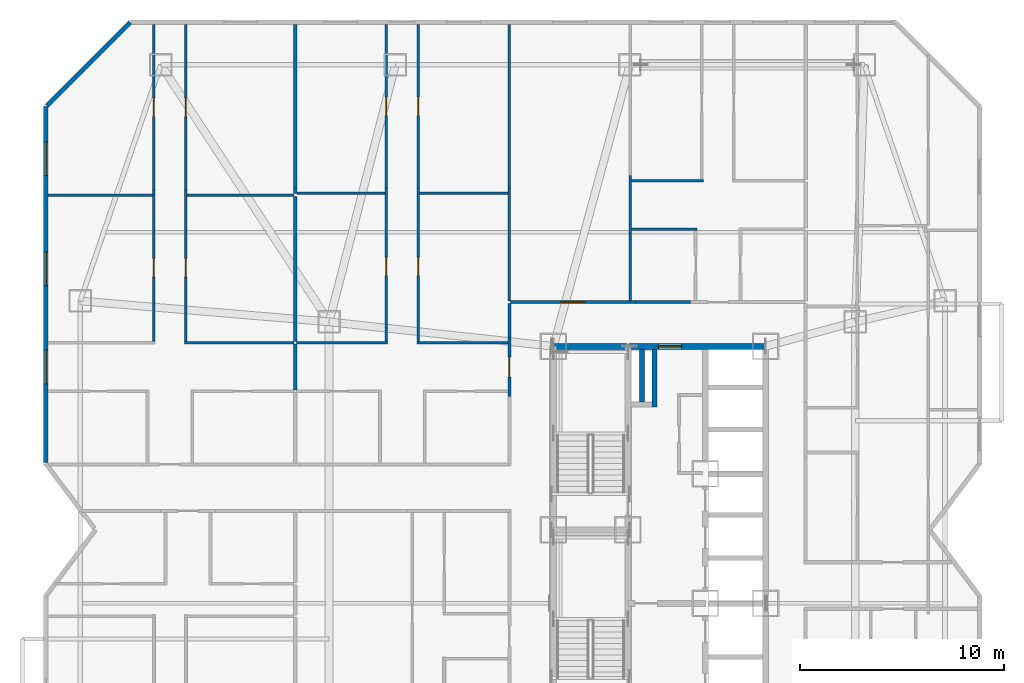
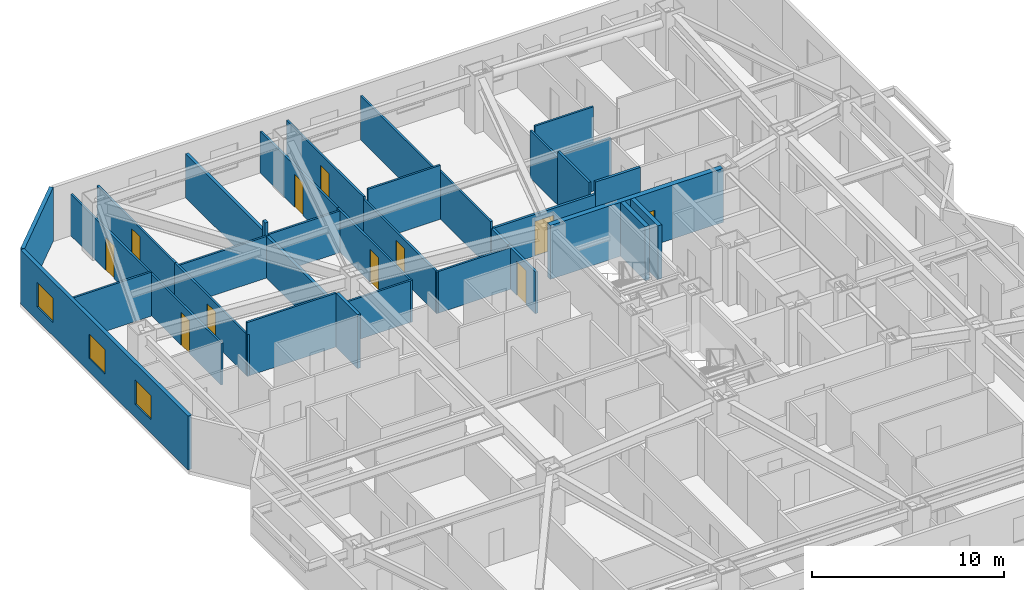
# One storey, part 10 of 13: 34 walls, 11 doors, 3 windows, 14 openings.
"""IFC4 building model written with IfcOpenShell, lengths in metres."""

from ifc_helpers import new_model, si_unit, direction, frame, frame_2d, origin, place, context, subcontext, project, spatial, rectangle, extrude, material, layer, layer_set, type_object, element, fill, save


model = new_model("IFC4")

# Units and contexts
model_context = context("Model", 3, precision=1e-05, world=origin(), true_north=direction((0.0, 1.0)))
body_context = subcontext(model_context, "Body", "Model", "MODEL_VIEW")
ifc_project = project(units=[si_unit("LENGTHUNIT", "METRE"), si_unit("AREAUNIT", "SQUARE_METRE"), si_unit("VOLUMEUNIT", "CUBIC_METRE"), si_unit("PLANEANGLEUNIT", "RADIAN"), si_unit("MASSUNIT", "GRAM", prefix="KILO")], contexts=[model_context])

# Site, building, storey
site_placement = place(None, origin())
site = spatial("IfcSite", under=ifc_project, at=site_placement, CompositionType="ELEMENT")
building_placement = place(site_placement, origin())
building = spatial("IfcBuilding", under=site, at=building_placement, Name="Khamvora Tower", CompositionType="ELEMENT")
storey_placement = place(building_placement, frame((0.0, 0.0, 62.5)))
storey = spatial("IfcBuildingStorey", under=building, at=storey_placement, Name="L15", CompositionType="ELEMENT", Elevation=62.5)

# Wall, opening, door
ifc_material_1 = material(Name="Concrete C50/60", Category="concrete")
ifc_layer_1 = layer(ifc_material_1, 0.300048828125)
ifc_layer_set_1 = layer_set([ifc_layer_1], Name="Concrete C50/60")
wall_type_1 = type_object("IfcWallType", Name="WAL-CORE-300", PredefinedType="SHEAR", material=ifc_layer_set_1)
wall_1_placement = place(storey_placement, frame((29.0, 37.0, 0.0), z_axis=(0.0, 0.0, 1.0), x_axis=(1.0, 0.0, 0.0)))
wall_1 = element("IfcWall", 1, at=wall_1_placement, inside=storey, type_object=wall_type_1, Name="L15 central core north wall", PredefinedType="SHEAR", context=body_context, shape_type="SweptSolid", body=[
    extrude(rectangle(XDim=10.39990234375, YDim=0.300048828125, at=frame_2d((5.199951171875, 0.0))), origin(), (0.0, 0.0, 1.0), 3.429931640625),
])
opening_1_placement = place(wall_1_placement, frame((5.139892578125, 0.0, 0.0)))
opening_1 = element("IfcOpeningElement", 2, at=opening_1_placement, cuts=wall_1, Name="Opening D-SC1", PredefinedType="OPENING", context=body_context, shape_type="SweptSolid", body=[
    extrude(rectangle(XDim=1.14990234375, YDim=2.199951171875, at=frame_2d((0.574951171875, 1.10009765625))), frame((0.0, 0.159912109375, 0.0), z_axis=(0.0, -1.0, 0.0), x_axis=(1.0, 0.0, 0.0)), (0.0, 0.0, 1.0), 0.320068359375),
])
ifc_material_2 = material(Name="Powder-Coated Steel and Hardwood Leaf", Category="steel")
door_type_1 = type_object("IfcDoorType", Name="DOR-SCHL-1150", OperationType="NOTDEFINED", PredefinedType="DOOR", material=ifc_material_2)
door_1_placement = place(opening_1_placement, origin())
door_1 = element("IfcDoor", 3, at=door_1_placement, inside=storey, type_object=door_type_1, Name="L15 north core lobby to corridor fire door", OperationType="SINGLE_SWING_RIGHT", OverallHeight=2.199951171875, OverallWidth=1.14990234375, PredefinedType="DOOR", context=body_context, shape_type="SweptSolid", body=[
    extrude(rectangle(XDim=1.14990234375, YDim=2.199951171875, at=frame_2d((0.574951171875, 1.10009765625))), frame((0.0, 0.02490234375, 0.0), z_axis=(0.0, -1.0, 0.0), x_axis=(1.0, 0.0, 0.0)), (0.0, 0.0, 1.0), 0.050048828125),
])
fill(opening_1, door_1)

ifc_material_3 = material(Name="Fire-Rated Drywall and Steel Stud", Category="steel")
ifc_layer_2 = layer(ifc_material_3, 0.14990234375)
ifc_layer_set_2 = layer_set([ifc_layer_2], Name="Fire-Rated Drywall and Steel Stud")
wall_type_2 = type_object("IfcWallType", Name="WAL-CORR-150", PredefinedType="STANDARD", material=ifc_layer_set_2)
wall_2_placement = place(storey_placement, frame((26.89990234375, 39.1650390625, 0.0), z_axis=(0.0, 0.0, 1.0), x_axis=(1.0, 0.0, 0.0)))
wall_2 = element("IfcWall", 4, at=wall_2_placement, inside=storey, type_object=wall_type_2, Name="L15 interior partition wall 004", PredefinedType="STANDARD", context=body_context, shape_type="SweptSolid", body=[
    extrude(rectangle(XDim=6.114013671875, YDim=0.14990234375, at=frame_2d((3.05712890625, 0.0))), origin(), (0.0, 0.0, 1.0), 2.64697265625),
])
opening_2_placement = place(wall_2_placement, frame((2.4609375, 0.0, 0.0)))
opening_2 = element("IfcOpeningElement", 5, at=opening_2_placement, cuts=wall_2, Name="Opening D-SC1", PredefinedType="OPENING", context=body_context, shape_type="SweptSolid", body=[
    extrude(rectangle(XDim=1.14990234375, YDim=2.199951171875, at=frame_2d((0.574951171875, 1.10009765625))), frame((0.0, 0.0849609375, 0.0), z_axis=(0.0, -1.0, 0.0), x_axis=(1.0, 0.0, 0.0)), (0.0, 0.0, 1.0), 0.169921875),
])
door_2_placement = place(opening_2_placement, origin())
door_2 = element("IfcDoor", 6, at=door_2_placement, inside=storey, type_object=door_type_1, Name="L15 interior door COR-FSTD", OperationType="SINGLE_SWING_RIGHT", OverallHeight=2.199951171875, OverallWidth=1.14990234375, PredefinedType="DOOR", context=body_context, shape_type="SweptSolid", body=[
    extrude(rectangle(XDim=1.14990234375, YDim=2.199951171875, at=frame_2d((0.574951171875, 1.10009765625))), frame((0.0, 0.02490234375, 0.0), z_axis=(0.0, -1.0, 0.0), x_axis=(1.0, 0.0, 0.0)), (0.0, 0.0, 1.0), 0.050048828125),
])
fill(opening_2, door_2)

wall_3_placement = place(storey_placement, frame((26.8349609375, 34.5458984375, 0.0), z_axis=(0.0, 0.0, 1.0), x_axis=(0.0, 1.0, 0.0)))
wall_3 = element("IfcWall", 7, at=wall_3_placement, inside=storey, type_object=wall_type_2, Name="L15 interior partition wall 019", PredefinedType="STANDARD", context=body_context, shape_type="SweptSolid", body=[
    extrude(rectangle(XDim=2.878173828125, YDim=0.14990234375, at=frame_2d((1.43896484375, 0.0))), origin(), (0.0, 0.0, 1.0), 2.64697265625),
])
opening_3_placement = place(wall_3_placement, frame((0.93896484375, 0.0, 0.0)))
opening_3 = element("IfcOpeningElement", 8, at=opening_3_placement, cuts=wall_3, Name="Opening D-U1", PredefinedType="OPENING", context=body_context, shape_type="SweptSolid", body=[
    extrude(rectangle(XDim=1.0, YDim=2.14990234375, at=frame_2d((0.5, 1.074951171875))), frame((0.0, 0.0849609375, 0.0), z_axis=(0.0, -1.0, 0.0), x_axis=(1.0, 0.0, 0.0)), (0.0, 0.0, 1.0), 0.169921875),
])
door_type_2 = type_object("IfcDoorType", Name="DOR-UNIT-1000", OperationType="NOTDEFINED", PredefinedType="DOOR", material=ifc_material_2)
door_3_placement = place(opening_3_placement, origin())
door_3 = element("IfcDoor", 9, at=door_3_placement, inside=storey, type_object=door_type_2, Name="L15 interior door COR-15WB2H", OperationType="SINGLE_SWING_RIGHT", OverallHeight=2.14990234375, OverallWidth=1.0, PredefinedType="DOOR", context=body_context, shape_type="SweptSolid", body=[
    extrude(rectangle(XDim=1.0, YDim=2.14990234375, at=frame_2d((0.5, 1.074951171875))), frame((0.0, 0.02490234375, 0.0), z_axis=(0.0, -1.0, 0.0), x_axis=(1.0, 0.0, 0.0)), (0.0, 0.0, 1.0), 0.050048828125),
])
fill(opening_3, door_3)

# Walls
wall_4_placement = place(storey_placement, frame((26.8349609375, 37.424072265625, 0.0), z_axis=(0.0, 0.0, 1.0), x_axis=(0.0, 1.0, 0.0)))
element("IfcWall", 10, at=wall_4_placement, inside=storey, type_object=wall_type_2, Name="L15 interior partition wall 023", PredefinedType="STANDARD", context=body_context, shape_type="SweptSolid", body=[
    extrude(rectangle(XDim=1.676025390625, YDim=0.14990234375, at=frame_2d((0.837890625, 0.0))), origin(), (0.0, 0.0, 1.0), 2.64697265625),
])
wall_5_placement = place(storey_placement, frame((33.013916015625, 39.1650390625, 0.0), z_axis=(0.0, 0.0, 1.0), x_axis=(1.0, 0.0, 0.0)))
element("IfcWall", 11, at=wall_5_placement, inside=storey, type_object=wall_type_2, Name="L15 interior partition wall 028", PredefinedType="STANDARD", context=body_context, shape_type="SweptSolid", body=[
    extrude(rectangle(XDim=2.7021484375, YDim=0.14990234375, at=frame_2d((1.35107421875, 0.0))), origin(), (0.0, 0.0, 1.0), 3.429931640625),
])
ifc_material_4 = material(Name="Acoustic Double-Stud Fire Wall", Category="gypsum")
ifc_layer_3 = layer(ifc_material_4, 0.179931640625)
ifc_layer_set_3 = layer_set([ifc_layer_3], Name="Acoustic Double-Stud Fire Wall")
wall_type_3 = type_object("IfcWallType", Name="WAL-CORR-180", PredefinedType="STANDARD", material=ifc_layer_set_3)
wall_6_placement = place(storey_placement, frame((16.345947265625, 37.110107421875, 0.0), z_axis=(0.0, 0.0, 1.0), x_axis=(0.0, -1.0, 0.0)))
element("IfcWall", 12, at=wall_6_placement, inside=storey, type_object=wall_type_3, Name="L15 interior partition wall 090", PredefinedType="STANDARD", context=body_context, shape_type="SweptSolid", body=[
    extrude(rectangle(XDim=2.25, YDim=0.179931640625, at=frame_2d((1.125, 0.0))), origin(), (0.0, 0.0, 1.0), 3.429931640625),
])
wall_7_placement = place(storey_placement, frame((16.345947265625, 44.35302734375, 0.0), z_axis=(0.0, 0.0, 1.0), x_axis=(0.0, -1.0, 0.0)))
element("IfcWall", 13, at=wall_7_placement, inside=storey, type_object=wall_type_3, Name="L15 interior partition wall 094", PredefinedType="STANDARD", context=body_context, shape_type="SweptSolid", body=[
    extrude(rectangle(XDim=7.113037109375, YDim=0.179931640625, at=frame_2d((3.556640625, 0.0))), origin(), (0.0, 0.0, 1.0), 2.64697265625),
])
wall_8_placement = place(storey_placement, frame((16.345947265625, 44.759033203125, 0.0), z_axis=(0.0, 0.0, 1.0), x_axis=(0.0, -1.0, 0.0)))
element("IfcWall", 14, at=wall_8_placement, inside=storey, type_object=wall_type_3, Name="L15 interior partition wall 095", PredefinedType="STANDARD", context=body_context, shape_type="SweptSolid", body=[
    extrude(rectangle(XDim=0.276123046875, YDim=0.179931640625, at=frame_2d((0.13818359375, 0.0))), origin(), (0.0, 0.0, 1.0), 3.429931640625),
])
wall_9_placement = place(storey_placement, frame((16.345947265625, 52.7880859375, 0.0), z_axis=(0.0, 0.0, 1.0), x_axis=(0.0, -1.0, 0.0)))
element("IfcWall", 15, at=wall_9_placement, inside=storey, type_object=wall_type_3, Name="L15 interior partition wall 096", PredefinedType="STANDARD", context=body_context, shape_type="SweptSolid", body=[
    extrude(rectangle(XDim=8.029052734375, YDim=0.179931640625, at=frame_2d((4.0146484375, 0.0))), origin(), (0.0, 0.0, 1.0), 2.802978515625),
])

# Wall, openings, windows
ifc_material_5 = material(Name="Precast concrete C40/50", Category="concrete")
ifc_layer_4 = layer(ifc_material_5, 0.219970703125)
ifc_layer_set_4 = layer_set([ifc_layer_4], Name="Precast concrete C40/50")
wall_type_4 = type_object("IfcWallType", Name="WAL-EXT-220", PredefinedType="STANDARD", material=ifc_layer_set_4)
wall_10_placement = place(storey_placement, frame((4.110107421875, 31.294921875, 0.0), z_axis=(0.0, 0.0, 1.0), x_axis=(0.0, 1.0, 0.0)))
wall_10 = element("IfcWall", 16, at=wall_10_placement, inside=storey, type_object=wall_type_4, Name="L15 exterior facade wall 05.1", PredefinedType="STANDARD", context=body_context, shape_type="SweptSolid", body=[
    extrude(rectangle(XDim=17.458984375, YDim=0.219970703125, at=frame_2d((8.7294921875, 0.0))), origin(), (0.0, 0.0, 1.0), 3.429931640625),
])
opening_4_placement = place(wall_10_placement, frame((3.864990234375, 0.0, 0.85009765625)))
opening_4 = element("IfcOpeningElement", 17, at=opening_4_placement, cuts=wall_10, Name="Opening WN-06", PredefinedType="OPENING", context=body_context, shape_type="SweptSolid", body=[
    extrude(rectangle(XDim=1.64990234375, YDim=1.550048828125, at=frame_2d((0.824951171875, 0.77490234375))), frame((0.0, 0.119873046875, 0.0), z_axis=(0.0, -1.0, 0.0), x_axis=(1.0, 0.0, 0.0)), (0.0, 0.0, 1.0), 0.239990234375),
])
opening_5_placement = place(wall_10_placement, frame((8.676025390625, 0.0, 0.85009765625)))
opening_5 = element("IfcOpeningElement", 18, at=opening_5_placement, cuts=wall_10, Name="Opening WN-06", PredefinedType="OPENING", context=body_context, shape_type="SweptSolid", body=[
    extrude(rectangle(XDim=1.64990234375, YDim=1.550048828125, at=frame_2d((0.824951171875, 0.77490234375))), frame((0.0, 0.119873046875, 0.0), z_axis=(0.0, -1.0, 0.0), x_axis=(1.0, 0.0, 0.0)), (0.0, 0.0, 1.0), 0.239990234375),
])
opening_6_placement = place(wall_10_placement, frame((14.072998046875, 0.0, 0.85009765625)))
opening_6 = element("IfcOpeningElement", 19, at=opening_6_placement, cuts=wall_10, Name="Opening WN-06", PredefinedType="OPENING", context=body_context, shape_type="SweptSolid", body=[
    extrude(rectangle(XDim=1.64990234375, YDim=1.550048828125, at=frame_2d((0.824951171875, 0.77490234375))), frame((0.0, 0.119873046875, 0.0), z_axis=(0.0, -1.0, 0.0), x_axis=(1.0, 0.0, 0.0)), (0.0, 0.0, 1.0), 0.239990234375),
])
ifc_material_6 = material(Name="Low-E Laminated Double Glazing", Category="glass")
window_type = type_object("IfcWindowType", Name="WIN-VIS-1650x1550", PartitioningType="SINGLE_PANEL", PredefinedType="WINDOW", material=ifc_material_6)
window_1_placement = place(opening_4_placement, origin())
window_1 = element("IfcWindow", 20, at=window_1_placement, inside=storey, type_object=window_type, Name="L15 vision window 05.1.01", OverallHeight=1.550048828125, OverallWidth=1.64990234375, PartitioningType="SINGLE_PANEL", PredefinedType="WINDOW", context=body_context, shape_type="SweptSolid", body=[
    extrude(rectangle(XDim=1.64990234375, YDim=1.550048828125, at=frame_2d((0.824951171875, 0.77490234375))), frame((0.0, 0.030029296875, 0.0), z_axis=(0.0, -1.0, 0.0), x_axis=(1.0, 0.0, 0.0)), (0.0, 0.0, 1.0), 0.06005859375),
])
fill(opening_4, window_1)
window_2_placement = place(opening_5_placement, origin())
window_2 = element("IfcWindow", 21, at=window_2_placement, inside=storey, type_object=window_type, Name="L15 vision window 05.1.02", OverallHeight=1.550048828125, OverallWidth=1.64990234375, PartitioningType="SINGLE_PANEL", PredefinedType="WINDOW", context=body_context, shape_type="SweptSolid", body=[
    extrude(rectangle(XDim=1.64990234375, YDim=1.550048828125, at=frame_2d((0.824951171875, 0.77490234375))), frame((0.0, 0.030029296875, 0.0), z_axis=(0.0, -1.0, 0.0), x_axis=(1.0, 0.0, 0.0)), (0.0, 0.0, 1.0), 0.06005859375),
])
fill(opening_5, window_2)
window_3_placement = place(opening_6_placement, origin())
window_3 = element("IfcWindow", 22, at=window_3_placement, inside=storey, type_object=window_type, Name="L15 vision window 05.1.03", OverallHeight=1.550048828125, OverallWidth=1.64990234375, PartitioningType="SINGLE_PANEL", PredefinedType="WINDOW", context=body_context, shape_type="SweptSolid", body=[
    extrude(rectangle(XDim=1.64990234375, YDim=1.550048828125, at=frame_2d((0.824951171875, 0.77490234375))), frame((0.0, 0.030029296875, 0.0), z_axis=(0.0, -1.0, 0.0), x_axis=(1.0, 0.0, 0.0)), (0.0, 0.0, 1.0), 0.06005859375),
])
fill(opening_6, window_3)

# Walls
wall_11_placement = place(storey_placement, frame((4.157958984375, 48.802001953125, 0.0), z_axis=(0.0, 0.0, 1.0), x_axis=(0.70712789547, 0.707085666273, 0.0)))
element("IfcWall", 23, at=wall_11_placement, inside=storey, type_object=wall_type_4, Name="L15 exterior facade wall 06.1", PredefinedType="STANDARD", context=body_context, shape_type="SweptSolid", body=[
    extrude(rectangle(XDim=5.78125, YDim=0.219970703125, at=frame_2d((2.890625, 0.0))), origin(), (0.0, 0.0, 1.0), 3.429931640625),
])
ifc_material_7 = material(Name="Gypsum Plasterboard Partition", Category="gypsum")
ifc_layer_5 = layer(ifc_material_7, 0.1201171875)
ifc_layer_set_5 = layer_set([ifc_layer_5], Name="Gypsum Plasterboard Partition")
wall_type_5 = type_object("IfcWallType", Name="WAL-PART-120", PredefinedType="PARTITIONING", material=ifc_layer_set_5)
wall_12_placement = place(storey_placement, frame((26.8349609375, 39.22998046875, 0.0), z_axis=(0.0, 0.0, 1.0), x_axis=(0.0, 1.0, 0.0)))
element("IfcWall", 24, at=wall_12_placement, inside=storey, type_object=wall_type_5, Name="L15 interior partition wall 042", PredefinedType="PARTITIONING", context=body_context, shape_type="SweptSolid", body=[
    extrude(rectangle(XDim=5.529052734375, YDim=0.1201171875, at=frame_2d((2.7646484375, 0.0))), origin(), (0.0, 0.0, 1.0), 3.012939453125),
])
wall_13_placement = place(storey_placement, frame((26.8349609375, 44.759033203125, 0.0), z_axis=(0.0, 0.0, 1.0), x_axis=(0.0, 1.0, 0.0)))
element("IfcWall", 25, at=wall_13_placement, inside=storey, type_object=wall_type_5, Name="L15 interior partition wall 043", PredefinedType="PARTITIONING", context=body_context, shape_type="SweptSolid", body=[
    extrude(rectangle(XDim=8.029052734375, YDim=0.1201171875, at=frame_2d((4.0146484375, 0.0))), origin(), (0.0, 0.0, 1.0), 2.802978515625),
])
wall_14_placement = place(storey_placement, frame((32.764892578125, 45.3740234375, 0.0), z_axis=(0.0, 0.0, 1.0), x_axis=(0.0, -1.0, 0.0)))
element("IfcWall", 26, at=wall_14_placement, inside=storey, type_object=wall_type_5, Name="L15 interior partition wall 044", PredefinedType="PARTITIONING", context=body_context, shape_type="SweptSolid", body=[
    extrude(rectangle(XDim=2.8779296875, YDim=0.1201171875, at=frame_2d((1.43896484375, 0.0))), origin(), (0.0, 0.0, 1.0), 3.012939453125),
])

# Wall, opening, door
wall_15_placement = place(storey_placement, frame((9.410888671875, 37.110107421875, 0.0), z_axis=(0.0, 0.0, 1.0), x_axis=(0.0, 1.0, 0.0)))
wall_15 = element("IfcWall", 27, at=wall_15_placement, inside=storey, type_object=wall_type_5, Name="L15 interior partition wall 084", PredefinedType="PARTITIONING", context=body_context, shape_type="SweptSolid", body=[
    extrude(rectangle(XDim=7.556884765625, YDim=0.1201171875, at=frame_2d((3.7783203125, 0.0))), origin(), (0.0, 0.0, 1.0), 2.64697265625),
])
opening_7_placement = place(wall_15_placement, frame((3.306884765625, 0.0, 0.0)))
opening_7 = element("IfcOpeningElement", 28, at=opening_7_placement, cuts=wall_15, Name="Opening D-RM1", PredefinedType="OPENING", context=body_context, shape_type="SweptSolid", body=[
    extrude(rectangle(XDim=0.89990234375, YDim=2.10009765625, at=frame_2d((0.449951171875, 1.050048828125))), frame((0.0, 0.070068359375, 0.0), z_axis=(0.0, -1.0, 0.0), x_axis=(1.0, 0.0, 0.0)), (0.0, 0.0, 1.0), 0.14013671875),
])
door_type_3 = type_object("IfcDoorType", Name="DOR-ROOM-900", OperationType="NOTDEFINED", PredefinedType="DOOR", material=ifc_material_2)
door_4_placement = place(opening_7_placement, origin())
door_4 = element("IfcDoor", 29, at=door_4_placement, inside=storey, type_object=door_type_3, Name="L15 interior door 15WB1H-15WB1R1", OperationType="SINGLE_SWING_LEFT", OverallHeight=2.10009765625, OverallWidth=0.89990234375, PredefinedType="DOOR", context=body_context, shape_type="SweptSolid", body=[
    extrude(rectangle(XDim=0.89990234375, YDim=2.10009765625, at=frame_2d((0.449951171875, 1.050048828125))), frame((0.0, 0.02490234375, 0.0), z_axis=(0.0, -1.0, 0.0), x_axis=(1.0, 0.0, 0.0)), (0.0, 0.0, 1.0), 0.050048828125),
])
fill(opening_7, door_4)

wall_16_placement = place(storey_placement, frame((9.410888671875, 44.6669921875, 0.0), z_axis=(0.0, 0.0, 1.0), x_axis=(0.0, 1.0, 0.0)))
wall_16 = element("IfcWall", 30, at=wall_16_placement, inside=storey, type_object=wall_type_5, Name="L15 interior partition wall 086", PredefinedType="PARTITIONING", context=body_context, shape_type="SweptSolid", body=[
    extrude(rectangle(XDim=8.12109375, YDim=0.1201171875, at=frame_2d((4.060546875, 0.0))), origin(), (0.0, 0.0, 1.0), 2.64697265625),
])
opening_8_placement = place(wall_16_placement, frame((3.611083984375, 0.0, 0.0)))
opening_8 = element("IfcOpeningElement", 31, at=opening_8_placement, cuts=wall_16, Name="Opening D-RM1", PredefinedType="OPENING", context=body_context, shape_type="SweptSolid", body=[
    extrude(rectangle(XDim=0.89990234375, YDim=2.10009765625, at=frame_2d((0.449951171875, 1.050048828125))), frame((0.0, 0.070068359375, 0.0), z_axis=(0.0, -1.0, 0.0), x_axis=(1.0, 0.0, 0.0)), (0.0, 0.0, 1.0), 0.14013671875),
])
door_5_placement = place(opening_8_placement, origin())
door_5 = element("IfcDoor", 32, at=door_5_placement, inside=storey, type_object=door_type_3, Name="L15 interior door 15WB1H-15WB1R2", OperationType="SINGLE_SWING_RIGHT", OverallHeight=2.10009765625, OverallWidth=0.89990234375, PredefinedType="DOOR", context=body_context, shape_type="SweptSolid", body=[
    extrude(rectangle(XDim=0.89990234375, YDim=2.10009765625, at=frame_2d((0.449951171875, 1.050048828125))), frame((0.0, 0.02490234375, 0.0), z_axis=(0.0, -1.0, 0.0), x_axis=(1.0, 0.0, 0.0)), (0.0, 0.0, 1.0), 0.050048828125),
])
fill(opening_8, door_5)

wall_17_placement = place(storey_placement, frame((10.98095703125, 44.6669921875, 0.0), z_axis=(0.0, 0.0, 1.0), x_axis=(0.0, -1.0, 0.0)))
wall_17 = element("IfcWall", 33, at=wall_17_placement, inside=storey, type_object=wall_type_5, Name="L15 interior partition wall 087", PredefinedType="PARTITIONING", context=body_context, shape_type="SweptSolid", body=[
    extrude(rectangle(XDim=7.556884765625, YDim=0.1201171875, at=frame_2d((3.7783203125, 0.0))), origin(), (0.0, 0.0, 1.0), 2.64697265625),
])
opening_9_placement = place(wall_17_placement, frame((3.34912109375, 0.0, 0.0)))
opening_9 = element("IfcOpeningElement", 34, at=opening_9_placement, cuts=wall_17, Name="Opening D-RM1", PredefinedType="OPENING", context=body_context, shape_type="SweptSolid", body=[
    extrude(rectangle(XDim=0.89990234375, YDim=2.10009765625, at=frame_2d((0.449951171875, 1.050048828125))), frame((0.0, 0.070068359375, 0.0), z_axis=(0.0, -1.0, 0.0), x_axis=(1.0, 0.0, 0.0)), (0.0, 0.0, 1.0), 0.14013671875),
])
door_6_placement = place(opening_9_placement, origin())
door_6 = element("IfcDoor", 35, at=door_6_placement, inside=storey, type_object=door_type_3, Name="L15 interior door 15WB1H-15WB1R3", OperationType="SINGLE_SWING_LEFT", OverallHeight=2.10009765625, OverallWidth=0.89990234375, PredefinedType="DOOR", context=body_context, shape_type="SweptSolid", body=[
    extrude(rectangle(XDim=0.89990234375, YDim=2.10009765625, at=frame_2d((0.449951171875, 1.050048828125))), frame((0.0, 0.02490234375, 0.0), z_axis=(0.0, -1.0, 0.0), x_axis=(1.0, 0.0, 0.0)), (0.0, 0.0, 1.0), 0.050048828125),
])
fill(opening_9, door_6)

# Wall
wall_18_placement = place(storey_placement, frame((10.916015625, 37.175048828125, 0.0), z_axis=(0.0, 0.0, 1.0), x_axis=(1.0, 0.0, 0.0)))
element("IfcWall", 36, at=wall_18_placement, inside=storey, type_object=wall_type_5, Name="L15 interior partition wall 088", PredefinedType="PARTITIONING", context=body_context, shape_type="SweptSolid", body=[
    extrude(rectangle(XDim=5.364990234375, YDim=0.1201171875, at=frame_2d((2.6826171875, 0.0))), origin(), (0.0, 0.0, 1.0), 3.429931640625),
])

# Wall, opening, door
wall_19_placement = place(storey_placement, frame((10.98095703125, 52.7880859375, 0.0), z_axis=(0.0, 0.0, 1.0), x_axis=(0.0, -1.0, 0.0)))
wall_19 = element("IfcWall", 37, at=wall_19_placement, inside=storey, type_object=wall_type_5, Name="L15 interior partition wall 089", PredefinedType="PARTITIONING", context=body_context, shape_type="SweptSolid", body=[
    extrude(rectangle(XDim=8.12109375, YDim=0.1201171875, at=frame_2d((4.060546875, 0.0))), origin(), (0.0, 0.0, 1.0), 2.64697265625),
])
opening_10_placement = place(wall_19_placement, frame((3.611083984375, 0.0, 0.0)))
opening_10 = element("IfcOpeningElement", 38, at=opening_10_placement, cuts=wall_19, Name="Opening D-RM1", PredefinedType="OPENING", context=body_context, shape_type="SweptSolid", body=[
    extrude(rectangle(XDim=0.89990234375, YDim=2.10009765625, at=frame_2d((0.449951171875, 1.050048828125))), frame((0.0, 0.070068359375, 0.0), z_axis=(0.0, -1.0, 0.0), x_axis=(1.0, 0.0, 0.0)), (0.0, 0.0, 1.0), 0.14013671875),
])
door_7_placement = place(opening_10_placement, origin())
door_7 = element("IfcDoor", 39, at=door_7_placement, inside=storey, type_object=door_type_3, Name="L15 interior door 15WB1H-15WB1R4", OperationType="SINGLE_SWING_RIGHT", OverallHeight=2.10009765625, OverallWidth=0.89990234375, PredefinedType="DOOR", context=body_context, shape_type="SweptSolid", body=[
    extrude(rectangle(XDim=0.89990234375, YDim=2.10009765625, at=frame_2d((0.449951171875, 1.050048828125))), frame((0.0, 0.02490234375, 0.0), z_axis=(0.0, -1.0, 0.0), x_axis=(1.0, 0.0, 0.0)), (0.0, 0.0, 1.0), 0.050048828125),
])
fill(opening_10, door_7)

# Walls
wall_20_placement = place(storey_placement, frame((4.2119140625, 44.41796875, 0.0), z_axis=(0.0, 0.0, 1.0), x_axis=(1.0, 0.0, 0.0)))
element("IfcWall", 40, at=wall_20_placement, inside=storey, type_object=wall_type_5, Name="L15 interior partition wall 092", PredefinedType="PARTITIONING", context=body_context, shape_type="SweptSolid", body=[
    extrude(rectangle(XDim=5.14501953125, YDim=0.1201171875, at=frame_2d((2.572509765625, 0.0))), origin(), (0.0, 0.0, 1.0), 2.802978515625),
])
wall_21_placement = place(storey_placement, frame((11.034912109375, 44.41796875, 0.0), z_axis=(0.0, 0.0, 1.0), x_axis=(1.0, 0.0, 0.0)))
element("IfcWall", 41, at=wall_21_placement, inside=storey, type_object=wall_type_5, Name="L15 interior partition wall 093", PredefinedType="PARTITIONING", context=body_context, shape_type="SweptSolid", body=[
    extrude(rectangle(XDim=5.24609375, YDim=0.1201171875, at=frame_2d((2.623046875, 0.0))), origin(), (0.0, 0.0, 1.0), 2.64697265625),
])
wall_22_placement = place(storey_placement, frame((16.410888671875, 37.175048828125, 0.0), z_axis=(0.0, 0.0, 1.0), x_axis=(1.0, 0.0, 0.0)))
element("IfcWall", 42, at=wall_22_placement, inside=storey, type_object=wall_type_5, Name="L15 interior partition wall 101", PredefinedType="PARTITIONING", context=body_context, shape_type="SweptSolid", body=[
    extrude(rectangle(XDim=4.460205078125, YDim=0.1201171875, at=frame_2d((2.22998046875, 0.0))), origin(), (0.0, 0.0, 1.0), 2.64697265625),
])

# Wall, opening, door
wall_23_placement = place(storey_placement, frame((20.805908203125, 37.110107421875, 0.0), z_axis=(0.0, 0.0, 1.0), x_axis=(0.0, 1.0, 0.0)))
wall_23 = element("IfcWall", 43, at=wall_23_placement, inside=storey, type_object=wall_type_5, Name="L15 interior partition wall 102", PredefinedType="PARTITIONING", context=body_context, shape_type="SweptSolid", body=[
    extrude(rectangle(XDim=7.64892578125, YDim=0.1201171875, at=frame_2d((3.824462890625, 0.0))), origin(), (0.0, 0.0, 1.0), 2.64697265625),
])
opening_11_placement = place(wall_23_placement, frame((3.35302734375, 0.0, 0.0)))
opening_11 = element("IfcOpeningElement", 44, at=opening_11_placement, cuts=wall_23, Name="Opening D-RM1", PredefinedType="OPENING", context=body_context, shape_type="SweptSolid", body=[
    extrude(rectangle(XDim=0.89990234375, YDim=2.10009765625, at=frame_2d((0.449951171875, 1.050048828125))), frame((0.0, 0.070068359375, 0.0), z_axis=(0.0, -1.0, 0.0), x_axis=(1.0, 0.0, 0.0)), (0.0, 0.0, 1.0), 0.14013671875),
])
door_8_placement = place(opening_11_placement, origin())
door_8 = element("IfcDoor", 45, at=door_8_placement, inside=storey, type_object=door_type_3, Name="L15 interior door 15WB2H-15WB2L", OperationType="SINGLE_SWING_LEFT", OverallHeight=2.10009765625, OverallWidth=0.89990234375, PredefinedType="DOOR", context=body_context, shape_type="SweptSolid", body=[
    extrude(rectangle(XDim=0.89990234375, YDim=2.10009765625, at=frame_2d((0.449951171875, 1.050048828125))), frame((0.0, 0.02490234375, 0.0), z_axis=(0.0, -1.0, 0.0), x_axis=(1.0, 0.0, 0.0)), (0.0, 0.0, 1.0), 0.050048828125),
])
fill(opening_11, door_8)

wall_24_placement = place(storey_placement, frame((20.805908203125, 44.759033203125, 0.0), z_axis=(0.0, 0.0, 1.0), x_axis=(0.0, 1.0, 0.0)))
wall_24 = element("IfcWall", 46, at=wall_24_placement, inside=storey, type_object=wall_type_5, Name="L15 interior partition wall 103", PredefinedType="PARTITIONING", context=body_context, shape_type="SweptSolid", body=[
    extrude(rectangle(XDim=8.029052734375, YDim=0.1201171875, at=frame_2d((4.0146484375, 0.0))), origin(), (0.0, 0.0, 1.0), 2.64697265625),
])
opening_12_placement = place(wall_24_placement, frame((3.56396484375, 0.0, 0.0)))
opening_12 = element("IfcOpeningElement", 47, at=opening_12_placement, cuts=wall_24, Name="Opening D-RM1", PredefinedType="OPENING", context=body_context, shape_type="SweptSolid", body=[
    extrude(rectangle(XDim=0.89990234375, YDim=2.10009765625, at=frame_2d((0.449951171875, 1.050048828125))), frame((0.0, 0.070068359375, 0.0), z_axis=(0.0, -1.0, 0.0), x_axis=(1.0, 0.0, 0.0)), (0.0, 0.0, 1.0), 0.14013671875),
])
door_9_placement = place(opening_12_placement, origin())
door_9 = element("IfcDoor", 48, at=door_9_placement, inside=storey, type_object=door_type_3, Name="L15 interior door 15WB2H-15WB2R2", OperationType="SINGLE_SWING_RIGHT", OverallHeight=2.10009765625, OverallWidth=0.89990234375, PredefinedType="DOOR", context=body_context, shape_type="SweptSolid", body=[
    extrude(rectangle(XDim=0.89990234375, YDim=2.10009765625, at=frame_2d((0.449951171875, 1.050048828125))), frame((0.0, 0.02490234375, 0.0), z_axis=(0.0, -1.0, 0.0), x_axis=(1.0, 0.0, 0.0)), (0.0, 0.0, 1.0), 0.050048828125),
])
fill(opening_12, door_9)

wall_25_placement = place(storey_placement, frame((22.3759765625, 44.759033203125, 0.0), z_axis=(0.0, 0.0, 1.0), x_axis=(0.0, -1.0, 0.0)))
wall_25 = element("IfcWall", 49, at=wall_25_placement, inside=storey, type_object=wall_type_5, Name="L15 interior partition wall 104", PredefinedType="PARTITIONING", context=body_context, shape_type="SweptSolid", body=[
    extrude(rectangle(XDim=7.64892578125, YDim=0.1201171875, at=frame_2d((3.824462890625, 0.0))), origin(), (0.0, 0.0, 1.0), 2.64697265625),
])
opening_13_placement = place(wall_25_placement, frame((3.39501953125, 0.0, 0.0)))
opening_13 = element("IfcOpeningElement", 50, at=opening_13_placement, cuts=wall_25, Name="Opening D-RM1", PredefinedType="OPENING", context=body_context, shape_type="SweptSolid", body=[
    extrude(rectangle(XDim=0.89990234375, YDim=2.10009765625, at=frame_2d((0.449951171875, 1.050048828125))), frame((0.0, 0.070068359375, 0.0), z_axis=(0.0, -1.0, 0.0), x_axis=(1.0, 0.0, 0.0)), (0.0, 0.0, 1.0), 0.14013671875),
])
door_10_placement = place(opening_13_placement, origin())
door_10 = element("IfcDoor", 51, at=door_10_placement, inside=storey, type_object=door_type_3, Name="L15 interior door 15WB2H-15WB2R3", OperationType="SINGLE_SWING_LEFT", OverallHeight=2.10009765625, OverallWidth=0.89990234375, PredefinedType="DOOR", context=body_context, shape_type="SweptSolid", body=[
    extrude(rectangle(XDim=0.89990234375, YDim=2.10009765625, at=frame_2d((0.449951171875, 1.050048828125))), frame((0.0, 0.02490234375, 0.0), z_axis=(0.0, -1.0, 0.0), x_axis=(1.0, 0.0, 0.0)), (0.0, 0.0, 1.0), 0.050048828125),
])
fill(opening_13, door_10)

# Wall
wall_26_placement = place(storey_placement, frame((22.31103515625, 37.175048828125, 0.0), z_axis=(0.0, 0.0, 1.0), x_axis=(1.0, 0.0, 0.0)))
element("IfcWall", 52, at=wall_26_placement, inside=storey, type_object=wall_type_5, Name="L15 interior partition wall 105", PredefinedType="PARTITIONING", context=body_context, shape_type="SweptSolid", body=[
    extrude(rectangle(XDim=4.458984375, YDim=0.1201171875, at=frame_2d((2.2294921875, 0.0))), origin(), (0.0, 0.0, 1.0), 2.64697265625),
])

# Wall, opening, door
wall_27_placement = place(storey_placement, frame((22.3759765625, 52.7880859375, 0.0), z_axis=(0.0, 0.0, 1.0), x_axis=(0.0, -1.0, 0.0)))
wall_27 = element("IfcWall", 53, at=wall_27_placement, inside=storey, type_object=wall_type_5, Name="L15 interior partition wall 106", PredefinedType="PARTITIONING", context=body_context, shape_type="SweptSolid", body=[
    extrude(rectangle(XDim=8.029052734375, YDim=0.1201171875, at=frame_2d((4.0146484375, 0.0))), origin(), (0.0, 0.0, 1.0), 2.802978515625),
])
opening_14_placement = place(wall_27_placement, frame((3.56396484375, 0.0, 0.0)))
opening_14 = element("IfcOpeningElement", 54, at=opening_14_placement, cuts=wall_27, Name="Opening D-RM1", PredefinedType="OPENING", context=body_context, shape_type="SweptSolid", body=[
    extrude(rectangle(XDim=0.89990234375, YDim=2.10009765625, at=frame_2d((0.449951171875, 1.050048828125))), frame((0.0, 0.070068359375, 0.0), z_axis=(0.0, -1.0, 0.0), x_axis=(1.0, 0.0, 0.0)), (0.0, 0.0, 1.0), 0.14013671875),
])
door_11_placement = place(opening_14_placement, origin())
door_11 = element("IfcDoor", 55, at=door_11_placement, inside=storey, type_object=door_type_3, Name="L15 interior door 15WB2H-15WB2R4", OperationType="SINGLE_SWING_RIGHT", OverallHeight=2.10009765625, OverallWidth=0.89990234375, PredefinedType="DOOR", context=body_context, shape_type="SweptSolid", body=[
    extrude(rectangle(XDim=0.89990234375, YDim=2.10009765625, at=frame_2d((0.449951171875, 1.050048828125))), frame((0.0, 0.02490234375, 0.0), z_axis=(0.0, -1.0, 0.0), x_axis=(1.0, 0.0, 0.0)), (0.0, 0.0, 1.0), 0.050048828125),
])
fill(opening_14, door_11)

# Walls
wall_28_placement = place(storey_placement, frame((16.427978515625, 44.510009765625, 0.0), z_axis=(0.0, 0.0, 1.0), x_axis=(1.0, 0.0, 0.0)))
element("IfcWall", 56, at=wall_28_placement, inside=storey, type_object=wall_type_5, Name="L15 interior partition wall 107", PredefinedType="PARTITIONING", context=body_context, shape_type="SweptSolid", body=[
    extrude(rectangle(XDim=4.323974609375, YDim=0.1201171875, at=frame_2d((2.162109375, 0.0))), origin(), (0.0, 0.0, 1.0), 2.64697265625),
])
wall_29_placement = place(storey_placement, frame((22.429931640625, 44.510009765625, 0.0), z_axis=(0.0, 0.0, 1.0), x_axis=(1.0, 0.0, 0.0)))
element("IfcWall", 57, at=wall_29_placement, inside=storey, type_object=wall_type_5, Name="L15 interior partition wall 108", PredefinedType="PARTITIONING", context=body_context, shape_type="SweptSolid", body=[
    extrude(rectangle(XDim=4.35107421875, YDim=0.1201171875, at=frame_2d((2.175537109375, 0.0))), origin(), (0.0, 0.0, 1.0), 3.429931640625),
])
wall_30_placement = place(storey_placement, frame((32.819091796875, 45.125, 0.0), z_axis=(0.0, 0.0, 1.0), x_axis=(1.0, 0.0, 0.0)))
element("IfcWall", 58, at=wall_30_placement, inside=storey, type_object=wall_type_5, Name="L15 interior partition wall 129", PredefinedType="PARTITIONING", context=body_context, shape_type="SweptSolid", body=[
    extrude(rectangle(XDim=3.52587890625, YDim=0.1201171875, at=frame_2d((1.762939453125, 0.0))), origin(), (0.0, 0.0, 1.0), 3.429931640625),
])
ifc_material_8 = material(Name="Concrete C40/50", Category="concrete")
ifc_layer_6 = layer(ifc_material_8, 0.25)
ifc_layer_set_6 = layer_set([ifc_layer_6], Name="Concrete C40/50")
wall_type_6 = type_object("IfcWallType", Name="WAL-PODS-250", PredefinedType="SHEAR", material=ifc_layer_set_6)
wall_31_placement = place(storey_placement, frame((33.955078125, 34.02490234375, 0.0), z_axis=(0.0, 0.0, 1.0), x_axis=(0.0, 1.0, 0.0)))
element("IfcWall", 59, at=wall_31_placement, inside=storey, type_object=wall_type_6, Name="L15 vertical MEP riser shaft east enclosure wall", PredefinedType="SHEAR", context=body_context, shape_type="SweptSolid", body=[
    extrude(rectangle(XDim=2.821044921875, YDim=0.25, at=frame_2d((1.41064453125, 0.0))), origin(), (0.0, 0.0, 1.0), 3.429931640625),
])
wall_32_placement = place(storey_placement, frame((33.340087890625, 34.279052734375, 0.0), z_axis=(0.0, 0.0, 1.0), x_axis=(0.0, 1.0, 0.0)))
element("IfcWall", 60, at=wall_32_placement, inside=storey, type_object=wall_type_6, Name="L15 vertical MEP riser shaft divider enclosure wall", PredefinedType="SHEAR", context=body_context, shape_type="SweptSolid", body=[
    extrude(rectangle(XDim=2.56689453125, YDim=0.25, at=frame_2d((1.283447265625, 0.0))), origin(), (0.0, 0.0, 1.0), 3.429931640625),
])
ifc_material_9 = material(Name="Moisture-Resistant Plasterboard Partition", Category="gypsum")
ifc_layer_7 = layer(ifc_material_9, 0.135009765625)
ifc_layer_set_7 = layer_set([ifc_layer_7], Name="Moisture-Resistant Plasterboard Partition")
wall_type_7 = type_object("IfcWallType", Name="WAL-WET-135", PredefinedType="PARTITIONING", material=ifc_layer_set_7)
wall_33_placement = place(storey_placement, frame((32.764892578125, 42.49609375, 0.0), z_axis=(0.0, 0.0, 1.0), x_axis=(0.0, -1.0, 0.0)))
element("IfcWall", 61, at=wall_33_placement, inside=storey, type_object=wall_type_7, Name="L15 interior partition wall 045", PredefinedType="PARTITIONING", context=body_context, shape_type="SweptSolid", body=[
    extrude(rectangle(XDim=3.26416015625, YDim=0.135009765625, at=frame_2d((1.632080078125, 0.0))), origin(), (0.0, 0.0, 1.0), 3.429931640625),
])
wall_34_placement = place(storey_placement, frame((36.030029296875, 42.7451171875, 0.0), z_axis=(0.0, 0.0, 1.0), x_axis=(-1.0, 0.0, 0.0)))
element("IfcWall", 62, at=wall_34_placement, inside=storey, type_object=wall_type_7, Name="L15 interior partition wall 126", PredefinedType="PARTITIONING", context=body_context, shape_type="SweptSolid", body=[
    extrude(rectangle(XDim=3.2109375, YDim=0.135009765625, at=frame_2d((1.60546875, 0.0))), origin(), (0.0, 0.0, 1.0), 3.012939453125),
])

save(model, "model.ifc")
